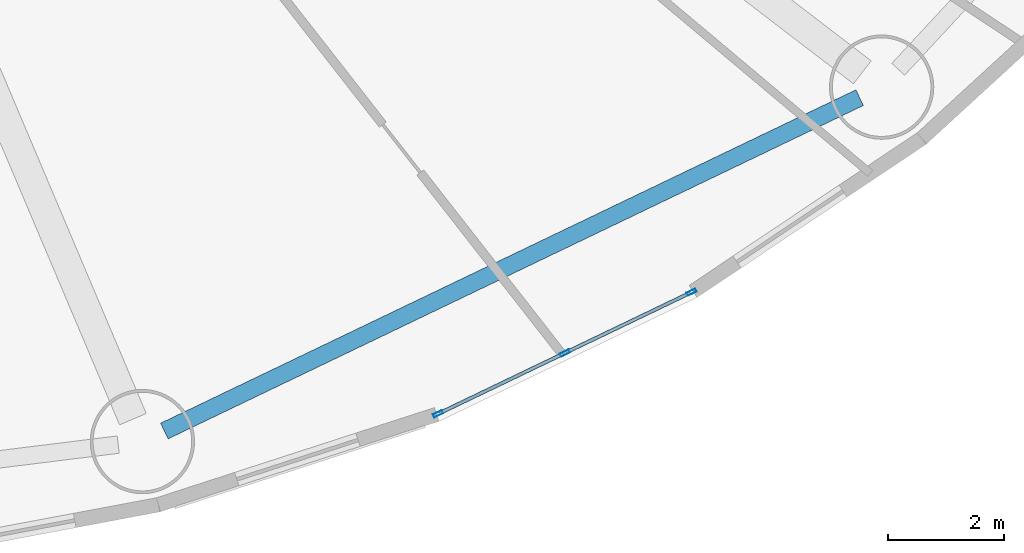
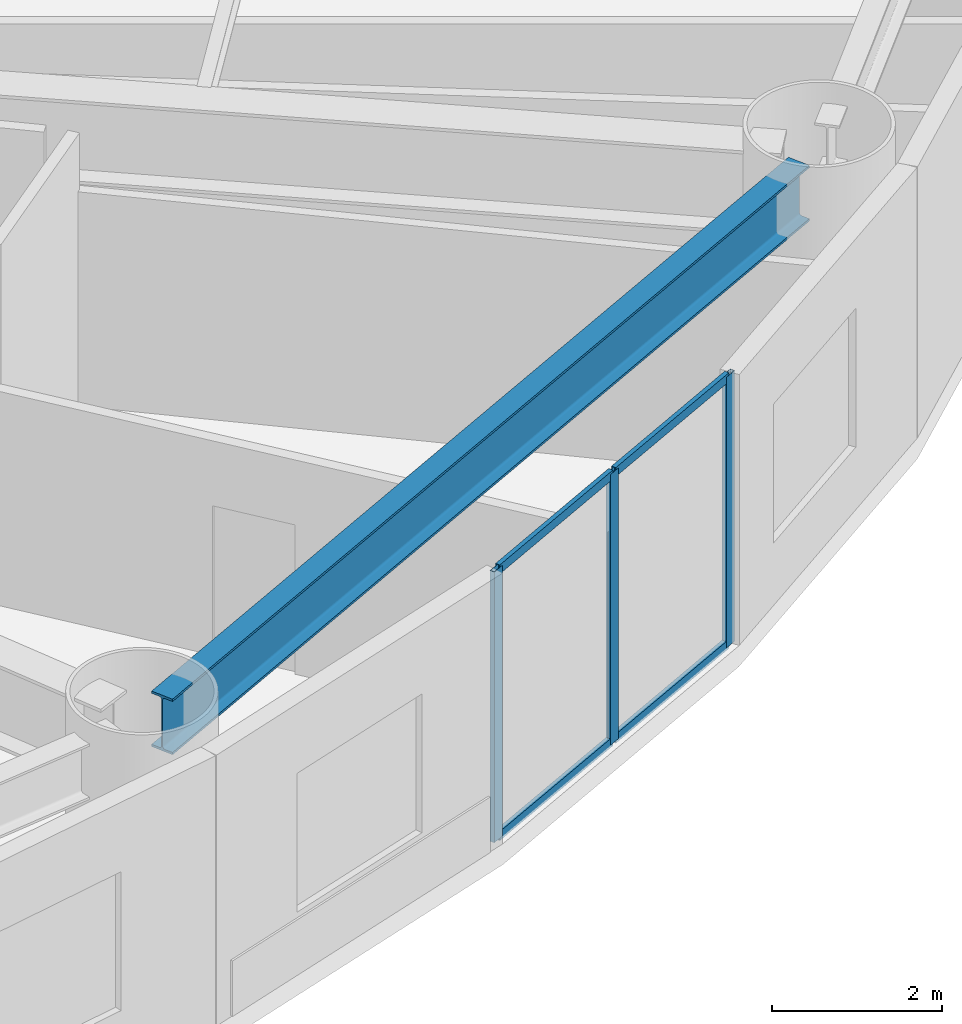
# One storey, part 6 of 27: 7 members, 1 beam, 1 element without a shape of its own.
"""IFC4 building model written with IfcOpenShell, lengths in metres."""

from ifc_helpers import new_model, si_unit, direction, frame, origin, origin_2d, place, context, subcontext, project, spatial, hollow_rectangle, i_section, extrude, source, transform, mapped, material, layer, layer_set, material_profile, profile_set, type_object, element, aggregate, save


model = new_model("IFC4")

# Units and contexts
model_context = context("Model", 3, precision=1e-05, world=origin(), true_north=direction((0.0, 1.0)))
body_context = subcontext(model_context, "Body", "Model", "MODEL_VIEW")
ifc_project = project(units=[si_unit("LENGTHUNIT", "METRE"), si_unit("AREAUNIT", "SQUARE_METRE"), si_unit("VOLUMEUNIT", "CUBIC_METRE"), si_unit("PLANEANGLEUNIT", "RADIAN"), si_unit("MASSUNIT", "GRAM", prefix="KILO")], contexts=[model_context])

# Site, building, storey
site_placement = place(None, origin())
site = spatial("IfcSite", under=ifc_project, at=site_placement, CompositionType="ELEMENT")
building_placement = place(site_placement, origin())
building = spatial("IfcBuilding", under=site, at=building_placement, Name="Linh Dai School and Residence Tower", CompositionType="ELEMENT")
storey_placement = place(building_placement, frame((0.0, 0.0, 22.800048828125)))
storey = spatial("IfcBuildingStorey", under=building, at=storey_placement, Name="L05", CompositionType="ELEMENT", Elevation=22.800048828125)

# Beam
ifc_material_1 = material(Name="Structural Steel S355JR", Category="steel")
ifc_material_profile_1 = material_profile(ifc_material_1, i_section(OverallWidth=0.300048828125, OverallDepth=0.800048828125, WebThickness=0.017578125, FlangeThickness=0.032958984375, FilletRadius=0.030029296875, at=origin_2d()), Name="HEB 800")
ifc_profile_set_1 = profile_set([ifc_material_profile_1], Name="Structural Steel S355JR")
beam_type = type_object("IfcBeamType", Name="BM-RG8", PredefinedType="BEAM", material=ifc_profile_set_1)
beam_placement = place(storey_placement, frame((46.329833984375, 3.66552734375, 3.5), z_axis=(0.901703667424, 0.432354595388, 0.0), x_axis=(-0.432354595388, 0.901703667424, 0.0)))
element("IfcBeam", 1, at=beam_placement, inside=storey, type_object=beam_type, Name="L05 Perimeter Elliptical Ring Beam 14", PredefinedType="BEAM", context=body_context, shape_type="SweptSolid", body=[
    extrude(i_section(OverallWidth=0.300048828125, OverallDepth=0.800048828125, WebThickness=0.017578125, FlangeThickness=0.032958984375, FilletRadius=0.030029296875, at=origin_2d()), origin(), (0.0, 0.0, 1.0), 13.304443359375),
])

# Curtain wall, members
ifc_material_2 = material(Name="Aluminium Anodised Curtain Wall", Category="aluminium")
ifc_layer = layer(ifc_material_2, 0.169921875)
ifc_layer_set = layer_set([ifc_layer], Name="Aluminium Anodised Curtain Wall")
curtain_wall_type = type_object("IfcCurtainWallType", Name="CW-SYS-2", PredefinedType="USERDEFINED", material=ifc_layer_set)
curtain_wall_placement = place(storey_placement, origin())
curtain_wall = element("IfcCurtainWall", 2, at=curtain_wall_placement, inside=storey, type_object=curtain_wall_type, Name="L05 CW2 Curtain Wall 34", ObjectType="UNITISED CURTAIN WALL", PredefinedType="USERDEFINED")
ifc_material_3 = material(Name="Aluminium Alloy 6063-T6", Category="aluminium")
ifc_material_profile_2 = material_profile(ifc_material_3, hollow_rectangle(XDim=0.06005859375, YDim=0.169921875, WallThickness=0.00390625, at=origin_2d()), Name="RHS 170x60x4")
ifc_profile_set_2 = profile_set([ifc_material_profile_2], Name="Aluminium Alloy 6063-T6")
member_type_1 = type_object("IfcMemberType", Name="CW-SYS-2-MUL", PredefinedType="MULLION", material=ifc_profile_set_2)
shared_shape_1 = source(origin(), body_context, "Body", "SweptSolid", [
    extrude(hollow_rectangle(XDim=0.06005859375, YDim=0.169921875, WallThickness=0.00390625, at=origin_2d()), origin(), (0.0, 0.0, 1.0), 3.89990234375),
])
member_1_placement = place(storey_placement, frame((55.425537109375, 6.061279296875, 0.0), z_axis=(0.0, 0.0, 1.0), x_axis=(0.432657370259, -0.901558428479, 0.0)))
member_1 = element("IfcMember", 3, at=member_1_placement, type_object=member_type_1, Name="CW2 mullion 1", PredefinedType="MULLION", context=body_context, shape_type="MappedRepresentation", body=[
    mapped(shared_shape_1, transform((0.0, 0.0, 0.0), x_axis=(1.0, 0.0, 0.0), y_axis=(0.0, 1.0, 0.0), z_axis=(0.0, 0.0, 1.0), scale=1.0)),
])
member_2_placement = place(storey_placement, frame((53.239501953125, 5.011962890625, 0.0), z_axis=(0.0, 0.0, 1.0), x_axis=(0.432657370259, -0.901558428479, 0.0)))
member_2 = element("IfcMember", 4, at=member_2_placement, type_object=member_type_1, Name="CW2 mullion 2", PredefinedType="MULLION", context=body_context, shape_type="MappedRepresentation", body=[
    mapped(shared_shape_1, transform((0.0, 0.0, 0.0), x_axis=(1.0, 0.0, 0.0), y_axis=(0.0, 1.0, 0.0), z_axis=(0.0, 0.0, 1.0), scale=1.0)),
])
member_3_placement = place(storey_placement, frame((51.05322265625, 3.962890625, 0.0), z_axis=(0.0, 0.0, 1.0), x_axis=(0.432657370259, -0.901558428479, 0.0)))
member_3 = element("IfcMember", 5, at=member_3_placement, type_object=member_type_1, Name="CW2 mullion 3", PredefinedType="MULLION", context=body_context, shape_type="MappedRepresentation", body=[
    mapped(shared_shape_1, transform((0.0, 0.0, 0.0), x_axis=(1.0, 0.0, 0.0), y_axis=(0.0, 1.0, 0.0), z_axis=(0.0, 0.0, 1.0), scale=1.0)),
])
ifc_material_profile_3 = material_profile(ifc_material_3, hollow_rectangle(XDim=0.06005859375, YDim=0.1298828125, WallThickness=0.00390625, at=origin_2d()), Name="RHS 130x60x4")
ifc_profile_set_3 = profile_set([ifc_material_profile_3], Name="Aluminium Alloy 6063-T6")
member_type_2 = type_object("IfcMemberType", Name="CW-SYS-2-TRN", PredefinedType="USERDEFINED", material=ifc_profile_set_3)
shared_shape_2 = source(origin(), body_context, "Body", "SweptSolid", [
    extrude(hollow_rectangle(XDim=0.06005859375, YDim=0.1298828125, WallThickness=0.00390625, at=origin_2d()), origin(), (0.0, 0.0, 1.0), 2.364990234375),
])
member_4_placement = place(storey_placement, frame((55.3984375, 6.04833984375, 0.030029296875), z_axis=(-0.90155688486, -0.432660586791, 0.0), x_axis=(0.432660586791, -0.90155688486, 0.0)))
member_4 = element("IfcMember", 6, at=member_4_placement, type_object=member_type_2, Name="CW2 transom 1.1", ObjectType="TRANSOM", PredefinedType="USERDEFINED", context=body_context, shape_type="MappedRepresentation", body=[
    mapped(shared_shape_2, transform((0.0, 0.0, 0.0), x_axis=(1.0, 0.0, 0.0), y_axis=(0.0, 1.0, 0.0), z_axis=(0.0, 0.0, 1.0), scale=1.0)),
])
member_5_placement = place(storey_placement, frame((55.3984375, 6.04833984375, 3.869873046875), z_axis=(-0.90155688486, -0.432660586791, 0.0), x_axis=(0.432660586791, -0.90155688486, 0.0)))
member_5 = element("IfcMember", 7, at=member_5_placement, type_object=member_type_2, Name="CW2 transom 1.2", ObjectType="TRANSOM", PredefinedType="USERDEFINED", context=body_context, shape_type="MappedRepresentation", body=[
    mapped(shared_shape_2, transform((0.0, 0.0, 0.0), x_axis=(1.0, 0.0, 0.0), y_axis=(0.0, 1.0, 0.0), z_axis=(0.0, 0.0, 1.0), scale=1.0)),
])
member_6_placement = place(storey_placement, frame((53.21240234375, 4.9990234375, 0.030029296875), z_axis=(-0.90155688486, -0.432660586791, 0.0), x_axis=(0.432660586791, -0.90155688486, 0.0)))
member_6 = element("IfcMember", 8, at=member_6_placement, type_object=member_type_2, Name="CW2 transom 2.1", ObjectType="TRANSOM", PredefinedType="USERDEFINED", context=body_context, shape_type="MappedRepresentation", body=[
    mapped(shared_shape_2, transform((0.0, 0.0, 0.0), x_axis=(1.0, 0.0, 0.0), y_axis=(0.0, 1.0, 0.0), z_axis=(0.0, 0.0, 1.0), scale=1.0)),
])
member_7_placement = place(storey_placement, frame((53.21240234375, 4.9990234375, 3.869873046875), z_axis=(-0.90155688486, -0.432660586791, 0.0), x_axis=(0.432660586791, -0.90155688486, 0.0)))
member_7 = element("IfcMember", 9, at=member_7_placement, type_object=member_type_2, Name="CW2 transom 2.2", ObjectType="TRANSOM", PredefinedType="USERDEFINED", context=body_context, shape_type="MappedRepresentation", body=[
    mapped(shared_shape_2, transform((0.0, 0.0, 0.0), x_axis=(1.0, 0.0, 0.0), y_axis=(0.0, 1.0, 0.0), z_axis=(0.0, 0.0, 1.0), scale=1.0)),
])
aggregate(curtain_wall, [member_1, member_2, member_3, member_4, member_5, member_6, member_7])

save(model, "model.ifc")
